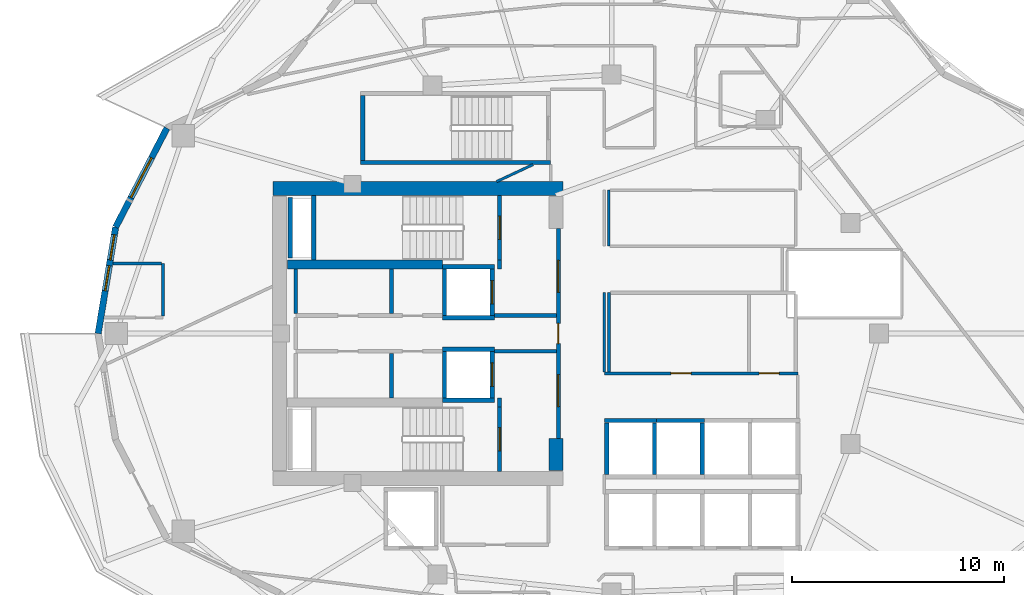
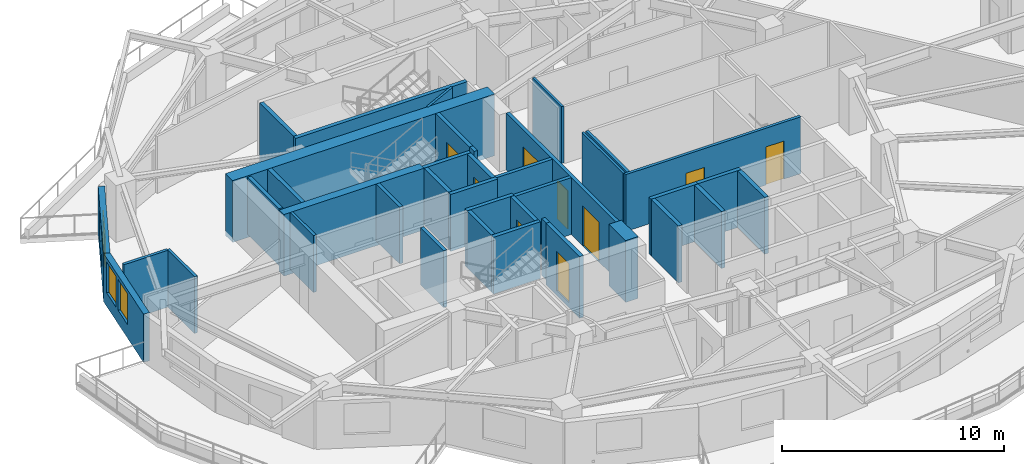
# One storey, part 4 of 14: 39 walls, 9 doors, 3 windows, 12 openings.
"""IFC4 building model written with IfcOpenShell, lengths in metres."""

from ifc_helpers import new_model, si_unit, direction, frame, frame_2d, origin, place, context, subcontext, project, spatial, rectangle, extrude, material, layer, layer_set, type_object, element, fill, save


model = new_model("IFC4")

# Units and contexts
model_context = context("Model", 3, precision=1e-05, world=origin(), true_north=direction((0.0, 1.0)))
body_context = subcontext(model_context, "Body", "Model", "MODEL_VIEW")
ifc_project = project(units=[si_unit("LENGTHUNIT", "METRE"), si_unit("AREAUNIT", "SQUARE_METRE"), si_unit("VOLUMEUNIT", "CUBIC_METRE"), si_unit("PLANEANGLEUNIT", "RADIAN"), si_unit("MASSUNIT", "GRAM", prefix="KILO")], contexts=[model_context])

# Site, building, storey
site_placement = place(None, origin())
site = spatial("IfcSite", under=ifc_project, at=site_placement, CompositionType="ELEMENT")
building_placement = place(site_placement, origin())
building = spatial("IfcBuilding", under=site, at=building_placement, Name="Kolvaren Gate Tower and Convention Centre", CompositionType="ELEMENT")
storey_placement = place(building_placement, frame((0.0, 0.0, 118.89990234375)))
storey = spatial("IfcBuildingStorey", under=building, at=storey_placement, Name="L29", CompositionType="ELEMENT", Elevation=118.89990234375)

# Walls
ifc_material_1 = material(Name="Autoclaved Aerated Masonry Blockwork Class 4 (4.0 MPa)", Category="masonry")
ifc_layer_1 = layer(ifc_material_1, 0.179931640625)
ifc_layer_set_1 = layer_set([ifc_layer_1], Name="Autoclaved Aerated Masonry Blockwork Class 4 (4.0 MPa)")
wall_type_1 = type_object("IfcWallType", Name="ARCH-WL-COMP-180", PredefinedType="SOLIDWALL", material=ifc_layer_set_1)
for number, where, z_axis, x_axis, name in (
    (1, (24.85009765625, 23.5400390625, 0.0), (0.0, 0.0, 1.0), (0.0, 1.0, 0.0), "Interior Partition WL-L29-INT-001"),
    (2, (24.85009765625, 30.0400390625, 0.0), (0.0, 0.0, 1.0), (0.0, 1.0, 0.0), "Interior Partition WL-L29-INT-002"),
):
    element("IfcWall", number, at=place(storey_placement, frame(where, z_axis=z_axis, x_axis=x_axis)), inside=storey, type_object=wall_type_1, Name=name, PredefinedType="SOLIDWALL", context=body_context, shape_type="SweptSolid", body=[
        extrude(rectangle(XDim=0.419921875, YDim=0.179931640625, at=frame_2d((0.2099609375, 0.0))), origin(), (0.0, 0.0, 1.0), 3.130126953125),
    ])

# Wall, openings, doors
wall_1_placement = place(storey_placement, frame((27.6201171875, 22.050048828125, 0.0), z_axis=(0.0, 0.0, 1.0), x_axis=(0.0, 1.0, 0.0)))
wall_1 = element("IfcWall", 3, at=wall_1_placement, inside=storey, type_object=wall_type_1, Name="Interior Partition WL-L29-INT-003", PredefinedType="SOLIDWALL", context=body_context, shape_type="SweptSolid", body=[
    extrude(rectangle(XDim=9.89990234375, YDim=0.179931640625, at=frame_2d((4.949951171875, 0.0))), origin(), (0.0, 0.0, 1.0), 3.130126953125),
])
opening_1_placement = place(wall_1_placement, frame((4.47509765625, 0.0, 0.0)))
opening_1 = element("IfcOpeningElement", 4, at=opening_1_placement, cuts=wall_1, Name="Opening DR-01", PredefinedType="OPENING", context=body_context, shape_type="SweptSolid", body=[
    extrude(rectangle(XDim=0.949951171875, YDim=2.10009765625, at=frame_2d((0.47509765625, 1.050048828125))), frame((0.0, 0.099853515625, 0.0), z_axis=(0.0, -1.0, 0.0), x_axis=(1.0, 0.0, 0.0)), (0.0, 0.0, 1.0), 0.199951171875),
])
opening_2_placement = place(wall_1_placement, frame((6.889892578125, 0.0, 0.0)))
opening_2 = element("IfcOpeningElement", 5, at=opening_2_placement, cuts=wall_1, Name="Opening DL-01", PredefinedType="OPENING", context=body_context, shape_type="SweptSolid", body=[
    extrude(rectangle(XDim=1.5, YDim=2.199951171875, at=frame_2d((0.75, 1.10009765625))), frame((0.0, 0.099853515625, 0.0), z_axis=(0.0, -1.0, 0.0), x_axis=(1.0, 0.0, 0.0)), (0.0, 0.0, 1.0), 0.199951171875),
])
opening_3_placement = place(wall_1_placement, frame((1.510009765625, 0.0, 0.0)))
opening_3 = element("IfcOpeningElement", 6, at=opening_3_placement, cuts=wall_1, Name="Opening DL-01", PredefinedType="OPENING", context=body_context, shape_type="SweptSolid", body=[
    extrude(rectangle(XDim=1.5, YDim=2.199951171875, at=frame_2d((0.75, 1.10009765625))), frame((0.0, 0.099853515625, 0.0), z_axis=(0.0, -1.0, 0.0), x_axis=(1.0, 0.0, 0.0)), (0.0, 0.0, 1.0), 0.199951171875),
])
ifc_material_2 = material(Name="Painted Architectural Steelwork ASTM A500 Grade C 345 MPa", Category="steel")
door_type_1 = type_object("IfcDoorType", Name="ARCH-DR-LOBBY-1500", OperationType="DOUBLE_DOOR_SINGLE_SWING", PredefinedType="DOOR", material=ifc_material_2)
door_1_placement = place(opening_2_placement, origin())
door_1 = element("IfcDoor", 7, at=door_1_placement, inside=storey, type_object=door_type_1, Name="North Firefighting Stair and Lift Lobby Door", OperationType="DOUBLE_DOOR_SINGLE_SWING", OverallHeight=2.199951171875, OverallWidth=1.5, PredefinedType="DOOR", context=body_context, shape_type="SweptSolid", body=[
    extrude(rectangle(XDim=1.5, YDim=2.199951171875, at=frame_2d((0.75, 1.10009765625))), frame((0.0, 0.02490234375, 0.0), z_axis=(0.0, -1.0, 0.0), x_axis=(1.0, 0.0, 0.0)), (0.0, 0.0, 1.0), 0.050048828125),
])
fill(opening_2, door_1)
door_2_placement = place(opening_3_placement, origin())
door_2 = element("IfcDoor", 8, at=door_2_placement, inside=storey, type_object=door_type_1, Name="South Firefighting Stair and Lift Lobby Door", OperationType="DOUBLE_DOOR_SINGLE_SWING", OverallHeight=2.199951171875, OverallWidth=1.5, PredefinedType="DOOR", context=body_context, shape_type="SweptSolid", body=[
    extrude(rectangle(XDim=1.5, YDim=2.199951171875, at=frame_2d((0.75, 1.10009765625))), frame((0.0, 0.02490234375, 0.0), z_axis=(0.0, -1.0, 0.0), x_axis=(1.0, 0.0, 0.0)), (0.0, 0.0, 1.0), 0.050048828125),
])
fill(opening_3, door_2)
door_type_2 = type_object("IfcDoorType", Name="ARCH-DR-RISER-950", OperationType="SINGLE_SWING_RIGHT", PredefinedType="DOOR", material=ifc_material_2)
door_3_placement = place(opening_1_placement, origin())
door_3 = element("IfcDoor", 9, at=door_3_placement, inside=storey, type_object=door_type_2, Name="Central MEP Service Corridor Door", OperationType="SINGLE_SWING_RIGHT", OverallHeight=2.10009765625, OverallWidth=0.949951171875, PredefinedType="DOOR", context=body_context, shape_type="SweptSolid", body=[
    extrude(rectangle(XDim=0.949951171875, YDim=2.10009765625, at=frame_2d((0.47509765625, 1.050048828125))), frame((0.0, 0.02490234375, 0.0), z_axis=(0.0, -1.0, 0.0), x_axis=(1.0, 0.0, 0.0)), (0.0, 0.0, 1.0), 0.050048828125),
])
fill(opening_1, door_3)

# Walls
for number, where, z_axis, x_axis, name in (
    (10, (24.60009765625, 27.840087890625, 0.0), (0.0, 0.0, 1.0), (1.0, 0.0, 0.0), "Interior Partition WL-L29-INT-005 (2)"),
    (11, (24.60009765625, 26.159912109375, 0.0), (0.0, 0.0, 1.0), (1.0, 0.0, 0.0), "Interior Partition WL-L29-INT-006 (2)"),
):
    element("IfcWall", number, at=place(storey_placement, frame(where, z_axis=z_axis, x_axis=x_axis)), inside=storey, type_object=wall_type_1, Name=name, PredefinedType="SOLIDWALL", context=body_context, shape_type="SweptSolid", body=[
        extrude(rectangle(XDim=2.927978515625, YDim=0.179931640625, at=frame_2d((1.4638671875, 0.0))), origin(), (0.0, 0.0, 1.0), 3.130126953125),
    ])
for number, where, z_axis, x_axis, name in (
    (12, (19.75, 23.9619140625, 0.0), (0.0, 0.0, 1.0), (0.0, 1.0, 0.0), "Interior Partition WL-L29-INT-008"),
    (13, (19.75, 27.931884765625, 0.0), (0.0, 0.0, 1.0), (0.0, 1.0, 0.0), "Interior Partition WL-L29-INT-009"),
):
    element("IfcWall", number, at=place(storey_placement, frame(where, z_axis=z_axis, x_axis=x_axis)), inside=storey, type_object=wall_type_1, Name=name, PredefinedType="SOLIDWALL", context=body_context, shape_type="SweptSolid", body=[
        extrude(rectangle(XDim=2.106201171875, YDim=0.179931640625, at=frame_2d((1.05322265625, 0.0))), origin(), (0.0, 0.0, 1.0), 3.130126953125),
    ])
ifc_material_3 = material(Name="Fire-Rated Acoustic Gypsum Stud Partition", Category="gypsum")
ifc_layer_2 = layer(ifc_material_3, 0.1201171875)
ifc_layer_set_2 = layer_set([ifc_layer_2], Name="Fire-Rated Acoustic Gypsum Stud Partition")
wall_type_2 = type_object("IfcWallType", Name="ARCH-WL-PART-120", PredefinedType="PARTITIONING", material=ifc_layer_set_2)
wall_2_placement = place(storey_placement, frame((30.0, 31.1201171875, 0.0), z_axis=(0.0, 0.0, 1.0), x_axis=(0.0, 1.0, 0.0)))
element("IfcWall", 14, at=wall_2_placement, inside=storey, type_object=wall_type_2, Name="Interior Partition WL-L29-INT-016", PredefinedType="PARTITIONING", context=body_context, shape_type="SweptSolid", body=[
    extrude(rectangle(XDim=2.6298828125, YDim=0.1201171875, at=frame_2d((1.31494140625, 0.0))), origin(), (0.0, 0.0, 1.0), 3.130126953125),
])
wall_3_placement = place(storey_placement, frame((29.780029296875, 25.197021484375, 0.0), z_axis=(0.0, 0.0, 1.0), x_axis=(0.0, 1.0, 0.0)))
element("IfcWall", 15, at=wall_3_placement, inside=storey, type_object=wall_type_2, Name="Interior Partition WL-L29-INT-036", PredefinedType="PARTITIONING", context=body_context, shape_type="SweptSolid", body=[
    extrude(rectangle(XDim=3.722900390625, YDim=0.1201171875, at=frame_2d((1.861328125, 0.0))), origin(), (0.0, 0.0, 1.0), 3.130126953125),
])
wall_4_placement = place(storey_placement, frame((24.702880859375, 34.152099609375, 0.0), z_axis=(0.0, 0.0, 1.0), x_axis=(0.90580239241, 0.423700396393, 0.0)))
element("IfcWall", 16, at=wall_4_placement, inside=storey, type_object=wall_type_2, Name="Interior Partition WL-L29-INT-056", PredefinedType="PARTITIONING", context=body_context, shape_type="SweptSolid", body=[
    extrude(rectangle(XDim=1.902099609375, YDim=0.1201171875, at=frame_2d((0.951171875, 0.0))), origin(), (0.0, 0.0, 1.0), 3.130126953125),
])
ifc_layer_3 = layer(ifc_material_1, 0.199951171875)
ifc_layer_set_3 = layer_set([ifc_layer_3], Name="Autoclaved Aerated Masonry Blockwork Class 4 (4.0 MPa)")
wall_type_3 = type_object("IfcWallType", Name="ARCH-WL-SHAFT-200", PredefinedType="SOLIDWALL", material=ifc_layer_set_3)
for number, where, z_axis, x_axis, name in (
    (17, (22.14990234375, 30.139892578125, 0.0), (0.0, 0.0, 1.0), (1.0, 0.0, 0.0), "Elevator FF-01 L29 Fire Shaft Wall N"),
    (18, (22.14990234375, 27.739990234375, 0.0), (0.0, 0.0, 1.0), (1.0, 0.0, 0.0), "Elevator FF-01 L29 Fire Shaft Wall S"),
):
    element("IfcWall", number, at=place(storey_placement, frame(where, z_axis=z_axis, x_axis=x_axis)), inside=storey, type_object=wall_type_3, Name=name, PredefinedType="SOLIDWALL", context=body_context, shape_type="SweptSolid", body=[
        extrude(rectangle(XDim=2.4501953125, YDim=0.199951171875, at=frame_2d((1.22509765625, 0.0))), origin(), (0.0, 0.0, 1.0), 3.130126953125),
    ])
wall_5_placement = place(storey_placement, frame((22.25, 27.85009765625, 0.0), z_axis=(0.0, 0.0, 1.0), x_axis=(0.0, 1.0, 0.0)))
element("IfcWall", 19, at=wall_5_placement, inside=storey, type_object=wall_type_3, Name="Elevator FF-01 L29 Fire Shaft Wall W", PredefinedType="SOLIDWALL", context=body_context, shape_type="SweptSolid", body=[
    extrude(rectangle(XDim=2.179931640625, YDim=0.199951171875, at=frame_2d((1.08984375, 0.0))), origin(), (0.0, 0.0, 1.0), 3.130126953125),
])

# Wall, opening, door
wall_6_placement = place(storey_placement, frame((24.5, 27.85009765625, 0.0), z_axis=(0.0, 0.0, 1.0), x_axis=(0.0, 1.0, 0.0)))
wall_6 = element("IfcWall", 20, at=wall_6_placement, inside=storey, type_object=wall_type_3, Name="Elevator FF-01 L29 Fire Shaft Wall E", PredefinedType="SOLIDWALL", context=body_context, shape_type="SweptSolid", body=[
    extrude(rectangle(XDim=2.179931640625, YDim=0.199951171875, at=frame_2d((1.08984375, 0.0))), origin(), (0.0, 0.0, 1.0), 3.130126953125),
])
opening_4_placement = place(wall_6_placement, frame((0.5400390625, 0.0, 0.0)))
opening_4 = element("IfcOpeningElement", 21, at=opening_4_placement, cuts=wall_6, Name="Opening LD", PredefinedType="OPENING", context=body_context, shape_type="SweptSolid", body=[
    extrude(rectangle(XDim=1.10009765625, YDim=2.199951171875, at=frame_2d((0.550048828125, 1.10009765625))), frame((0.0, 0.10986328125, 0.0), z_axis=(0.0, -1.0, 0.0), x_axis=(1.0, 0.0, 0.0)), (0.0, 0.0, 1.0), 0.219970703125),
])
ifc_material_4 = material(Name="Brushed Stainless Steel Grade 316L", Category="steel")
door_type_3 = type_object("IfcDoorType", Name="ARCH-DR-LIFT-1100", OperationType="SLIDING_TO_LEFT", PredefinedType="DOOR", material=ifc_material_4)
door_4_placement = place(opening_4_placement, origin())
door_4 = element("IfcDoor", 22, at=door_4_placement, inside=storey, type_object=door_type_3, Name="Elevator FF-01 L29 Sliding Landing Door", OperationType="SLIDING_TO_LEFT", OverallHeight=2.199951171875, OverallWidth=1.10009765625, PredefinedType="DOOR", context=body_context, shape_type="SweptSolid", body=[
    extrude(rectangle(XDim=1.10009765625, YDim=2.199951171875, at=frame_2d((0.550048828125, 1.10009765625))), frame((0.0, 0.02490234375, 0.0), z_axis=(0.0, -1.0, 0.0), x_axis=(1.0, 0.0, 0.0)), (0.0, 0.0, 1.0), 0.050048828125),
])
fill(opening_4, door_4)

# Walls
for number, where, z_axis, x_axis, name in (
    (23, (22.14990234375, 26.260009765625, 0.0), (0.0, 0.0, 1.0), (1.0, 0.0, 0.0), "Elevator FF-02 L29 Fire Shaft Wall N"),
    (24, (22.14990234375, 23.860107421875, 0.0), (0.0, 0.0, 1.0), (1.0, 0.0, 0.0), "Elevator FF-02 L29 Fire Shaft Wall S"),
):
    element("IfcWall", number, at=place(storey_placement, frame(where, z_axis=z_axis, x_axis=x_axis)), inside=storey, type_object=wall_type_3, Name=name, PredefinedType="SOLIDWALL", context=body_context, shape_type="SweptSolid", body=[
        extrude(rectangle(XDim=2.4501953125, YDim=0.199951171875, at=frame_2d((1.22509765625, 0.0))), origin(), (0.0, 0.0, 1.0), 3.130126953125),
    ])
wall_7_placement = place(storey_placement, frame((22.25, 23.969970703125, 0.0), z_axis=(0.0, 0.0, 1.0), x_axis=(0.0, 1.0, 0.0)))
element("IfcWall", 25, at=wall_7_placement, inside=storey, type_object=wall_type_3, Name="Elevator FF-02 L29 Fire Shaft Wall W", PredefinedType="SOLIDWALL", context=body_context, shape_type="SweptSolid", body=[
    extrude(rectangle(XDim=2.179931640625, YDim=0.199951171875, at=frame_2d((1.08984375, 0.0))), origin(), (0.0, 0.0, 1.0), 3.130126953125),
])

# Wall, opening, door
wall_8_placement = place(storey_placement, frame((24.5, 23.969970703125, 0.0), z_axis=(0.0, 0.0, 1.0), x_axis=(0.0, 1.0, 0.0)))
wall_8 = element("IfcWall", 26, at=wall_8_placement, inside=storey, type_object=wall_type_3, Name="Elevator FF-02 L29 Fire Shaft Wall E", PredefinedType="SOLIDWALL", context=body_context, shape_type="SweptSolid", body=[
    extrude(rectangle(XDim=2.179931640625, YDim=0.199951171875, at=frame_2d((1.08984375, 0.0))), origin(), (0.0, 0.0, 1.0), 3.130126953125),
])
opening_5_placement = place(wall_8_placement, frame((0.5400390625, 0.0, 0.0)))
opening_5 = element("IfcOpeningElement", 27, at=opening_5_placement, cuts=wall_8, Name="Opening LD", PredefinedType="OPENING", context=body_context, shape_type="SweptSolid", body=[
    extrude(rectangle(XDim=1.10009765625, YDim=2.199951171875, at=frame_2d((0.550048828125, 1.10009765625))), frame((0.0, 0.10986328125, 0.0), z_axis=(0.0, -1.0, 0.0), x_axis=(1.0, 0.0, 0.0)), (0.0, 0.0, 1.0), 0.219970703125),
])
door_5_placement = place(opening_5_placement, origin())
door_5 = element("IfcDoor", 28, at=door_5_placement, inside=storey, type_object=door_type_3, Name="Elevator FF-02 L29 Sliding Landing Door", OperationType="SLIDING_TO_LEFT", OverallHeight=2.199951171875, OverallWidth=1.10009765625, PredefinedType="DOOR", context=body_context, shape_type="SweptSolid", body=[
    extrude(rectangle(XDim=1.10009765625, YDim=2.199951171875, at=frame_2d((0.550048828125, 1.10009765625))), frame((0.0, 0.02490234375, 0.0), z_axis=(0.0, -1.0, 0.0), x_axis=(1.0, 0.0, 0.0)), (0.0, 0.0, 1.0), 0.050048828125),
])
fill(opening_5, door_5)

# Walls
wall_9_placement = place(storey_placement, frame((29.800048828125, 22.89990234375, 0.0), z_axis=(0.0, 0.0, 1.0), x_axis=(1.0, 0.0, 0.0)))
element("IfcWall", 29, at=wall_9_placement, inside=storey, type_object=wall_type_3, Name="Elevator PL-09 L29 Fire Shaft Wall N", PredefinedType="SOLIDWALL", context=body_context, shape_type="SweptSolid", body=[
    extrude(rectangle(XDim=2.449951171875, YDim=0.199951171875, at=frame_2d((1.22509765625, 0.0))), origin(), (0.0, 0.0, 1.0), 3.130126953125),
])
for number, where, z_axis, x_axis, name in (
    (30, (29.89990234375, 20.360107421875, 0.0), (0.0, 0.0, 1.0), (0.0, 1.0, 0.0), "Elevator PL-09 L29 Fire Shaft Wall W"),
    (31, (32.14990234375, 20.360107421875, 0.0), (0.0, 0.0, 1.0), (0.0, 1.0, 0.0), "Elevator PL-09 L29 Fire Shaft Wall E"),
):
    element("IfcWall", number, at=place(storey_placement, frame(where, z_axis=z_axis, x_axis=x_axis)), inside=storey, type_object=wall_type_3, Name=name, PredefinedType="SOLIDWALL", context=body_context, shape_type="SweptSolid", body=[
        extrude(rectangle(XDim=2.429931640625, YDim=0.199951171875, at=frame_2d((1.21484375, 0.0))), origin(), (0.0, 0.0, 1.0), 3.130126953125),
    ])
wall_10_placement = place(storey_placement, frame((32.25, 22.89990234375, 0.0), z_axis=(0.0, 0.0, 1.0), x_axis=(1.0, 0.0, 0.0)))
element("IfcWall", 32, at=wall_10_placement, inside=storey, type_object=wall_type_3, Name="Elevator PL-10 L29 Fire Shaft Wall N", PredefinedType="SOLIDWALL", context=body_context, shape_type="SweptSolid", body=[
    extrude(rectangle(XDim=2.25, YDim=0.199951171875, at=frame_2d((1.125, 0.0))), origin(), (0.0, 0.0, 1.0), 3.130126953125),
])
wall_11_placement = place(storey_placement, frame((34.39990234375, 20.360107421875, 0.0), z_axis=(0.0, 0.0, 1.0), x_axis=(0.0, 1.0, 0.0)))
element("IfcWall", 33, at=wall_11_placement, inside=storey, type_object=wall_type_3, Name="Elevator PL-10 L29 Fire Shaft Wall E", PredefinedType="SOLIDWALL", context=body_context, shape_type="SweptSolid", body=[
    extrude(rectangle(XDim=2.429931640625, YDim=0.199951171875, at=frame_2d((1.21484375, 0.0))), origin(), (0.0, 0.0, 1.0), 3.130126953125),
])
wall_12_placement = place(storey_placement, frame((14.989990234375, 30.550048828125, 0.0), z_axis=(0.0, 0.0, 1.0), x_axis=(0.0, 1.0, 0.0)))
element("IfcWall", 34, at=wall_12_placement, inside=storey, type_object=wall_type_3, Name="Vertical Shaft HVR L29 EI-120 Enclosure Wall W", PredefinedType="SOLIDWALL", context=body_context, shape_type="SweptSolid", body=[
    extrude(rectangle(XDim=2.849853515625, YDim=0.199951171875, at=frame_2d((1.4248046875, 0.0))), origin(), (0.0, 0.0, 1.0), 3.130126953125),
])

# Wall, opening, window
ifc_material_5 = material(Name="Piedmont Cream Honed Limestone Cladding", Category="masonry")
ifc_layer_4 = layer(ifc_material_5, 0.300048828125)
ifc_layer_set_4 = layer_set([ifc_layer_4], Name="Piedmont Cream Honed Limestone Cladding")
wall_type_4 = type_object("IfcWallType", Name="ARCH-WL-STONE-300", PredefinedType="SOLIDWALL", material=ifc_layer_set_4)
wall_13_placement = place(storey_placement, frame((6.76171875, 32.008056640625, 0.0), z_axis=(0.0, 0.0, 1.0), x_axis=(0.459767899643, 0.888039119892, 0.0)))
wall_13 = element("IfcWall", 35, at=wall_13_placement, inside=storey, type_object=wall_type_4, Name="Tower L29 Honed Stone Spandrel Wall EW-10", PredefinedType="SOLIDWALL", context=body_context, shape_type="SweptSolid", body=[
    extrude(rectangle(XDim=5.25537109375, YDim=0.300048828125, at=frame_2d((2.627685546875, 0.0))), origin(), (0.0, 0.0, 1.0), 2.653076171875),
])
opening_6_placement = place(wall_13_placement, frame((1.577880859375, 0.0, 0.739990234375)))
opening_6 = element("IfcOpeningElement", 36, at=opening_6_placement, cuts=wall_13, Name="Opening W-02", PredefinedType="OPENING", context=body_context, shape_type="SweptSolid", body=[
    extrude(rectangle(XDim=2.10009765625, YDim=1.699951171875, at=frame_2d((1.050048828125, 0.85009765625))), frame((0.0, 0.159912109375, 0.0), z_axis=(0.0, -1.0, 0.0), x_axis=(1.0, 0.0, 0.0)), (0.0, 0.0, 1.0), 0.320068359375),
])
ifc_material_6 = material(Name="Low-E Triple Insulated Glazing Unit 44 mm", Category="glass")
window_type_1 = type_object("IfcWindowType", Name="ARCH-WN-HTL-2100", PartitioningType="SINGLE_PANEL", PredefinedType="WINDOW", material=ifc_material_6)
window_1_placement = place(opening_6_placement, origin())
window_1 = element("IfcWindow", 37, at=window_1_placement, inside=storey, type_object=window_type_1, Name="Tower L29 Punched Stone Facade Window W-10", OverallHeight=1.699951171875, OverallWidth=2.10009765625, PartitioningType="SINGLE_PANEL", PredefinedType="WINDOW", context=body_context, shape_type="SweptSolid", body=[
    extrude(rectangle(XDim=2.10009765625, YDim=1.699951171875, at=frame_2d((1.050048828125, 0.85009765625))), frame((0.0, 0.030029296875, 0.0), z_axis=(0.0, -1.0, 0.0), x_axis=(1.0, 0.0, 0.0)), (0.0, 0.0, 1.0), 0.06005859375),
])
fill(opening_6, window_1)

# Wall, openings, windows
wall_14_placement = place(storey_placement, frame((5.9375, 27.0, 0.0), z_axis=(0.0, 0.0, 1.0), x_axis=(0.162393944769, 0.986726003864, 0.0)))
wall_14 = element("IfcWall", 38, at=wall_14_placement, inside=storey, type_object=wall_type_4, Name="Tower L29 Honed Stone Spandrel Wall EW-11", PredefinedType="SOLIDWALL", context=body_context, shape_type="SweptSolid", body=[
    extrude(rectangle(XDim=5.075439453125, YDim=0.300048828125, at=frame_2d((2.53759765625, 0.0))), origin(), (0.0, 0.0, 1.0), 2.653076171875),
])
opening_7_placement = place(wall_14_placement, frame((2.039306640625, 0.0, 0.739990234375)))
opening_7 = element("IfcOpeningElement", 39, at=opening_7_placement, cuts=wall_14, Name="Opening W-04", PredefinedType="OPENING", context=body_context, shape_type="SweptSolid", body=[
    extrude(rectangle(XDim=1.199951171875, YDim=1.699951171875, at=frame_2d((0.60009765625, 0.85009765625))), frame((0.0, 0.159912109375, 0.0), z_axis=(0.0, -1.0, 0.0), x_axis=(1.0, 0.0, 0.0)), (0.0, 0.0, 1.0), 0.320068359375),
])
opening_8_placement = place(wall_14_placement, frame((3.509765625, 0.0, 0.739990234375)))
opening_8 = element("IfcOpeningElement", 40, at=opening_8_placement, cuts=wall_14, Name="Opening W-04", PredefinedType="OPENING", context=body_context, shape_type="SweptSolid", body=[
    extrude(rectangle(XDim=1.199951171875, YDim=1.699951171875, at=frame_2d((0.60009765625, 0.85009765625))), frame((0.0, 0.159912109375, 0.0), z_axis=(0.0, -1.0, 0.0), x_axis=(1.0, 0.0, 0.0)), (0.0, 0.0, 1.0), 0.320068359375),
])
window_type_2 = type_object("IfcWindowType", Name="ARCH-WN-NARROW-1200", PartitioningType="SINGLE_PANEL", PredefinedType="WINDOW", material=ifc_material_6)
window_2_placement = place(opening_7_placement, origin())
window_2 = element("IfcWindow", 41, at=window_2_placement, inside=storey, type_object=window_type_2, Name="Tower L29 Punched Stone Facade Window W-11", OverallHeight=1.699951171875, OverallWidth=1.199951171875, PartitioningType="SINGLE_PANEL", PredefinedType="WINDOW", context=body_context, shape_type="SweptSolid", body=[
    extrude(rectangle(XDim=1.199951171875, YDim=1.699951171875, at=frame_2d((0.60009765625, 0.85009765625))), frame((0.0, 0.030029296875, 0.0), z_axis=(0.0, -1.0, 0.0), x_axis=(1.0, 0.0, 0.0)), (0.0, 0.0, 1.0), 0.06005859375),
])
fill(opening_7, window_2)
window_3_placement = place(opening_8_placement, origin())
window_3 = element("IfcWindow", 42, at=window_3_placement, inside=storey, type_object=window_type_2, Name="Tower L29 Punched Stone Facade Window W-11B", OverallHeight=1.699951171875, OverallWidth=1.199951171875, PartitioningType="SINGLE_PANEL", PredefinedType="WINDOW", context=body_context, shape_type="SweptSolid", body=[
    extrude(rectangle(XDim=1.199951171875, YDim=1.699951171875, at=frame_2d((0.60009765625, 0.85009765625))), frame((0.0, 0.030029296875, 0.0), z_axis=(0.0, -1.0, 0.0), x_axis=(1.0, 0.0, 0.0)), (0.0, 0.0, 1.0), 0.06005859375),
])
fill(opening_8, window_3)

# Wall
ifc_material_7 = material(Name="Moisture-Resistant Cement-Board Acoustic Partition", Category="gypsum")
ifc_layer_5 = layer(ifc_material_7, 0.14990234375)
ifc_layer_set_5 = layer_set([ifc_layer_5], Name="Moisture-Resistant Cement-Board Acoustic Partition")
wall_type_5 = type_object("IfcWallType", Name="ARCH-WL-WET-150", PredefinedType="PARTITIONING", material=ifc_layer_set_5)
wall_15_placement = place(storey_placement, frame((15.25, 27.931884765625, 0.0), z_axis=(0.0, 0.0, 1.0), x_axis=(0.0, 1.0, 0.0)))
element("IfcWall", 43, at=wall_15_placement, inside=storey, type_object=wall_type_5, Name="Interior Partition WL-L29-INT-007 (3)", PredefinedType="PARTITIONING", context=body_context, shape_type="SweptSolid", body=[
    extrude(rectangle(XDim=2.106201171875, YDim=0.14990234375, at=frame_2d((1.05322265625, 0.0))), origin(), (0.0, 0.0, 1.0), 3.130126953125),
])

# Wall, openings, doors
wall_16_placement = place(storey_placement, frame((29.780029296875, 25.1201171875, 0.0), z_axis=(0.0, 0.0, 1.0), x_axis=(1.0, 0.0, 0.0)))
wall_16 = element("IfcWall", 44, at=wall_16_placement, inside=storey, type_object=wall_type_5, Name="Interior Partition WL-L29-INT-014", PredefinedType="PARTITIONING", context=body_context, shape_type="SweptSolid", body=[
    extrude(rectangle(XDim=9.119873046875, YDim=0.14990234375, at=frame_2d((4.56005859375, 0.0))), origin(), (0.0, 0.0, 1.0), 3.130126953125),
])
opening_9_placement = place(wall_16_placement, frame((3.139892578125, 0.0, 0.0)))
opening_9 = element("IfcOpeningElement", 45, at=opening_9_placement, cuts=wall_16, Name="Opening DR-01", PredefinedType="OPENING", context=body_context, shape_type="SweptSolid", body=[
    extrude(rectangle(XDim=0.949951171875, YDim=2.10009765625, at=frame_2d((0.47509765625, 1.050048828125))), frame((0.0, 0.0849609375, 0.0), z_axis=(0.0, -1.0, 0.0), x_axis=(1.0, 0.0, 0.0)), (0.0, 0.0, 1.0), 0.169921875),
])
opening_10_placement = place(wall_16_placement, frame((7.2900390625, 0.0, 0.0)))
opening_10 = element("IfcOpeningElement", 46, at=opening_10_placement, cuts=wall_16, Name="Opening DR-01", PredefinedType="OPENING", context=body_context, shape_type="SweptSolid", body=[
    extrude(rectangle(XDim=0.949951171875, YDim=2.10009765625, at=frame_2d((0.47509765625, 1.050048828125))), frame((0.0, 0.0849609375, 0.0), z_axis=(0.0, -1.0, 0.0), x_axis=(1.0, 0.0, 0.0)), (0.0, 0.0, 1.0), 0.169921875),
])
door_6_placement = place(opening_9_placement, origin())
door_6 = element("IfcDoor", 47, at=door_6_placement, inside=storey, type_object=door_type_2, Name="Accessible Universal Washroom Door", OperationType="SINGLE_SWING_RIGHT", OverallHeight=2.10009765625, OverallWidth=0.949951171875, PredefinedType="DOOR", context=body_context, shape_type="SweptSolid", body=[
    extrude(rectangle(XDim=0.949951171875, YDim=2.10009765625, at=frame_2d((0.47509765625, 1.050048828125))), frame((0.0, 0.02490234375, 0.0), z_axis=(0.0, -1.0, 0.0), x_axis=(1.0, 0.0, 0.0)), (0.0, 0.0, 1.0), 0.050048828125),
])
fill(opening_9, door_6)
door_7_placement = place(opening_10_placement, origin())
door_7 = element("IfcDoor", 48, at=door_7_placement, inside=storey, type_object=door_type_2, Name="Hotel Housekeeping and Linen Store Door", OperationType="SINGLE_SWING_LEFT", OverallHeight=2.10009765625, OverallWidth=0.949951171875, PredefinedType="DOOR", context=body_context, shape_type="SweptSolid", body=[
    extrude(rectangle(XDim=0.949951171875, YDim=2.10009765625, at=frame_2d((0.47509765625, 1.050048828125))), frame((0.0, 0.02490234375, 0.0), z_axis=(0.0, -1.0, 0.0), x_axis=(1.0, 0.0, 0.0)), (0.0, 0.0, 1.0), 0.050048828125),
])
fill(opening_10, door_7)

# Walls
wall_17_placement = place(storey_placement, frame((30.0, 25.197021484375, 0.0), z_axis=(0.0, 0.0, 1.0), x_axis=(0.0, 1.0, 0.0)))
element("IfcWall", 49, at=wall_17_placement, inside=storey, type_object=wall_type_5, Name="Interior Partition WL-L29-INT-015", PredefinedType="PARTITIONING", context=body_context, shape_type="SweptSolid", body=[
    extrude(rectangle(XDim=3.722900390625, YDim=0.14990234375, at=frame_2d((1.861328125, 0.0))), origin(), (0.0, 0.0, 1.0), 3.130126953125),
])
wall_18_placement = place(storey_placement, frame((8.989013671875, 27.826904296875, 0.0), z_axis=(0.0, 0.0, 1.0), x_axis=(0.0, 1.0, 0.0)))
element("IfcWall", 50, at=wall_18_placement, inside=storey, type_object=wall_type_5, Name="Interior Partition WL-L29-INT-086", PredefinedType="PARTITIONING", context=body_context, shape_type="SweptSolid", body=[
    extrude(rectangle(XDim=2.47314453125, YDim=0.14990234375, at=frame_2d((1.236572265625, 0.0))), origin(), (0.0, 0.0, 1.0), 3.130126953125),
])
wall_19_placement = place(storey_placement, frame((6.634521484375, 30.300048828125, 0.0), z_axis=(0.0, 0.0, 1.0), x_axis=(1.0, 0.0, 0.0)))
element("IfcWall", 51, at=wall_19_placement, inside=storey, type_object=wall_type_5, Name="Interior Partition WL-L29-INT-087", PredefinedType="PARTITIONING", context=body_context, shape_type="SweptSolid", body=[
    extrude(rectangle(XDim=2.277587890625, YDim=0.14990234375, at=frame_2d((1.138671875, 0.0))), origin(), (0.0, 0.0, 1.0), 3.130126953125),
])
ifc_material_8 = material(Name="Concrete C50/60", Category="concrete")
ifc_layer_6 = layer(ifc_material_8, 0.419921875)
ifc_layer_set_6 = layer_set([ifc_layer_6], Name="Concrete C50/60")
wall_type_6 = type_object("IfcWallType", Name="STR-WL-CONV-420", PredefinedType="SHEAR", material=ifc_layer_set_6)
wall_20_placement = place(storey_placement, frame((14.85009765625, 30.25, -0.27001953125), z_axis=(0.0, 0.0, 1.0), x_axis=(1.0, 0.0, 0.0)))
element("IfcWall", 52, at=wall_20_placement, inside=storey, type_object=wall_type_6, Name="Tower L29 Offset Core Shear Wall WN", PredefinedType="SHEAR", context=body_context, shape_type="SweptSolid", body=[
    extrude(rectangle(XDim=7.2998046875, YDim=0.419921875, at=frame_2d((3.64990234375, 0.0))), origin(), (0.0, 0.0, 1.0), 3.400146484375),
])
ifc_material_9 = material(Name="Concrete C60/75", Category="concrete")
ifc_layer_7 = layer(ifc_material_9, 0.64990234375)
ifc_layer_set_7 = layer_set([ifc_layer_7], Name="Concrete C60/75")
wall_type_7 = type_object("IfcWallType", Name="STR-WL-CORE-650", PredefinedType="SHEAR", material=ifc_layer_set_7)
wall_21_placement = place(storey_placement, frame((14.175048828125, 33.824951171875, -0.27001953125), z_axis=(0.0, 0.0, 1.0), x_axis=(1.0, 0.0, 0.0)))
element("IfcWall", 53, at=wall_21_placement, inside=storey, type_object=wall_type_7, Name="Tower L29 Offset Core Shear Wall N", PredefinedType="SHEAR", context=body_context, shape_type="SweptSolid", body=[
    extrude(rectangle(XDim=13.64990234375, YDim=0.64990234375, at=frame_2d((6.824951171875, 0.0))), origin(), (0.0, 0.0, 1.0), 3.400146484375),
])
wall_22_placement = place(storey_placement, frame((27.5, 20.550048828125, -0.27001953125), z_axis=(0.0, 0.0, 1.0), x_axis=(0.0, 1.0, 0.0)))
element("IfcWall", 54, at=wall_22_placement, inside=storey, type_object=wall_type_7, Name="Tower L29 Offset Core Shear Wall ES", PredefinedType="SHEAR", context=body_context, shape_type="SweptSolid", body=[
    extrude(rectangle(XDim=1.5, YDim=0.64990234375, at=frame_2d((0.75, 0.0))), origin(), (0.0, 0.0, 1.0), 3.400146484375),
])

# Wall, opening, door
ifc_layer_8 = layer(ifc_material_8, 0.199951171875)
ifc_layer_set_8 = layer_set([ifc_layer_8], Name="Concrete C50/60")
wall_type_8 = type_object("IfcWallType", Name="STR-WL-SHAFT-200", PredefinedType="SHEAR", material=ifc_layer_set_8)
wall_23_placement = place(storey_placement, frame((24.85009765625, 30.4599609375, -0.27001953125), z_axis=(0.0, 0.0, 1.0), x_axis=(0.0, 1.0, 0.0)))
wall_23 = element("IfcWall", 55, at=wall_23_placement, inside=storey, type_object=wall_type_8, Name="Tower North Exit Stair ST-T1 L29 Structural Shear Enclosure Wall NEAR", PredefinedType="SHEAR", context=body_context, shape_type="SweptSolid", body=[
    extrude(rectangle(XDim=3.0380859375, YDim=0.199951171875, at=frame_2d((1.51904296875, 0.0))), origin(), (0.0, 0.0, 1.0), 3.400146484375),
])
opening_11_placement = place(wall_23_placement, frame((0.968994140625, 0.0, 0.27001953125)))
opening_11 = element("IfcOpeningElement", 56, at=opening_11_placement, cuts=wall_23, Name="Opening DS-01", PredefinedType="OPENING", context=body_context, shape_type="SweptSolid", body=[
    extrude(rectangle(XDim=1.10009765625, YDim=2.14990234375, at=frame_2d((0.550048828125, 1.074951171875))), frame((0.0, 0.10986328125, 0.0), z_axis=(0.0, -1.0, 0.0), x_axis=(1.0, 0.0, 0.0)), (0.0, 0.0, 1.0), 0.219970703125),
])
door_type_4 = type_object("IfcDoorType", Name="ARCH-DR-STAIR-1100", OperationType="SINGLE_SWING_LEFT", PredefinedType="DOOR", material=ifc_material_2)
door_8_placement = place(opening_11_placement, origin())
door_8 = element("IfcDoor", 57, at=door_8_placement, inside=storey, type_object=door_type_4, Name="Tower North Exit Stair ST-T1 L29 Fire Exit Stair Door", OperationType="SINGLE_SWING_LEFT", OverallHeight=2.14990234375, OverallWidth=1.10009765625, PredefinedType="DOOR", context=body_context, shape_type="SweptSolid", body=[
    extrude(rectangle(XDim=1.10009765625, YDim=2.14990234375, at=frame_2d((0.550048828125, 1.074951171875))), frame((0.0, 0.02490234375, 0.0), z_axis=(0.0, -1.0, 0.0), x_axis=(1.0, 0.0, 0.0)), (0.0, 0.0, 1.0), 0.050048828125),
])
fill(opening_11, door_8)

# Wall
wall_24_placement = place(storey_placement, frame((16.10009765625, 30.4619140625, -0.27001953125), z_axis=(0.0, 0.0, 1.0), x_axis=(0.0, 1.0, 0.0)))
element("IfcWall", 58, at=wall_24_placement, inside=storey, type_object=wall_type_8, Name="Tower North Exit Stair ST-T1 L29 Structural Shear Enclosure Wall FAR", PredefinedType="SHEAR", context=body_context, shape_type="SweptSolid", body=[
    extrude(rectangle(XDim=3.0361328125, YDim=0.199951171875, at=frame_2d((1.51806640625, 0.0))), origin(), (0.0, 0.0, 1.0), 3.400146484375),
])

# Wall, opening, door
wall_25_placement = place(storey_placement, frame((24.85009765625, 20.501953125, -0.27001953125), z_axis=(0.0, 0.0, 1.0), x_axis=(0.0, 1.0, 0.0)))
wall_25 = element("IfcWall", 59, at=wall_25_placement, inside=storey, type_object=wall_type_8, Name="Tower South Exit Stair ST-T2 L29 Structural Shear Enclosure Wall NEAR", PredefinedType="SHEAR", context=body_context, shape_type="SweptSolid", body=[
    extrude(rectangle(XDim=3.0380859375, YDim=0.199951171875, at=frame_2d((1.51904296875, 0.0))), origin(), (0.0, 0.0, 1.0), 3.400146484375),
])
opening_12_placement = place(wall_25_placement, frame((0.968994140625, 0.0, 0.27001953125)))
opening_12 = element("IfcOpeningElement", 60, at=opening_12_placement, cuts=wall_25, Name="Opening DS-01", PredefinedType="OPENING", context=body_context, shape_type="SweptSolid", body=[
    extrude(rectangle(XDim=1.10009765625, YDim=2.14990234375, at=frame_2d((0.550048828125, 1.074951171875))), frame((0.0, 0.10986328125, 0.0), z_axis=(0.0, -1.0, 0.0), x_axis=(1.0, 0.0, 0.0)), (0.0, 0.0, 1.0), 0.219970703125),
])
door_9_placement = place(opening_12_placement, origin())
door_9 = element("IfcDoor", 61, at=door_9_placement, inside=storey, type_object=door_type_4, Name="Tower South Exit Stair ST-T2 L29 Fire Exit Stair Door", OperationType="SINGLE_SWING_LEFT", OverallHeight=2.14990234375, OverallWidth=1.10009765625, PredefinedType="DOOR", context=body_context, shape_type="SweptSolid", body=[
    extrude(rectangle(XDim=1.10009765625, YDim=2.14990234375, at=frame_2d((0.550048828125, 1.074951171875))), frame((0.0, 0.02490234375, 0.0), z_axis=(0.0, -1.0, 0.0), x_axis=(1.0, 0.0, 0.0)), (0.0, 0.0, 1.0), 0.050048828125),
])
fill(opening_12, door_9)

# Walls
wall_26_placement = place(storey_placement, frame((18.39990234375, 35.159912109375, -0.27001953125), z_axis=(0.0, 0.0, 1.0), x_axis=(0.0, 1.0, 0.0)))
element("IfcWall", 62, at=wall_26_placement, inside=storey, type_object=wall_type_8, Name="Tower Mid-Zone Exit Stair ST-T3 L29 Structural Shear Enclosure Wall FAR", PredefinedType="SHEAR", context=body_context, shape_type="SweptSolid", body=[
    extrude(rectangle(XDim=3.0400390625, YDim=0.199951171875, at=frame_2d((1.52001953125, 0.0))), origin(), (0.0, 0.0, 1.0), 3.400146484375),
])
wall_27_placement = place(storey_placement, frame((18.300048828125, 35.06005859375, -0.27001953125), z_axis=(0.0, 0.0, 1.0), x_axis=(1.0, 0.0, 0.0)))
element("IfcWall", 63, at=wall_27_placement, inside=storey, type_object=wall_type_8, Name="Tower Mid-Zone Exit Stair ST-T3 L29 Structural Shear Enclosure Wall RGHT", PredefinedType="SHEAR", context=body_context, shape_type="SweptSolid", body=[
    extrude(rectangle(XDim=8.949951171875, YDim=0.199951171875, at=frame_2d((4.47509765625, 0.0))), origin(), (0.0, 0.0, 1.0), 3.400146484375),
])

save(model, "model.ifc")
